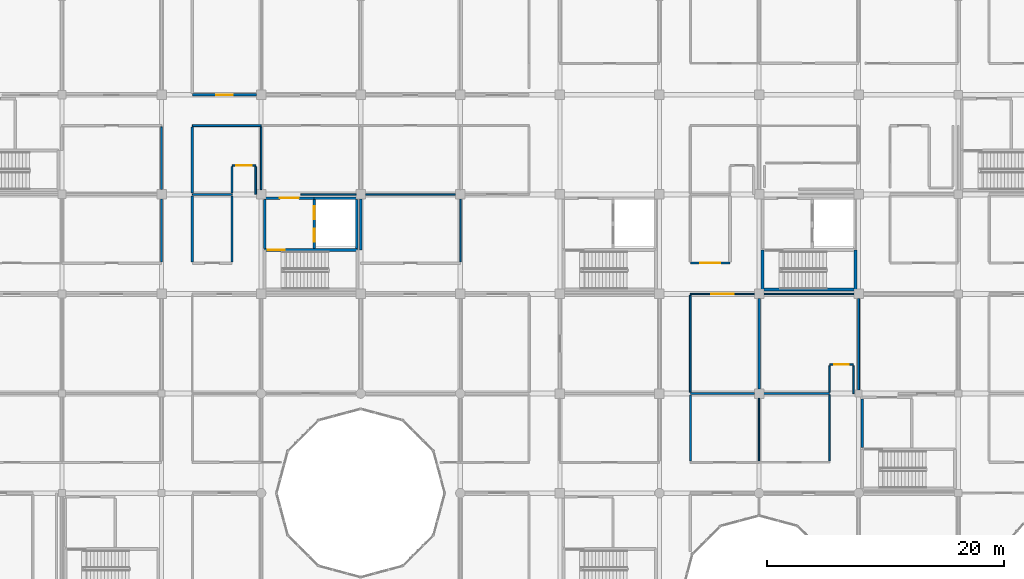
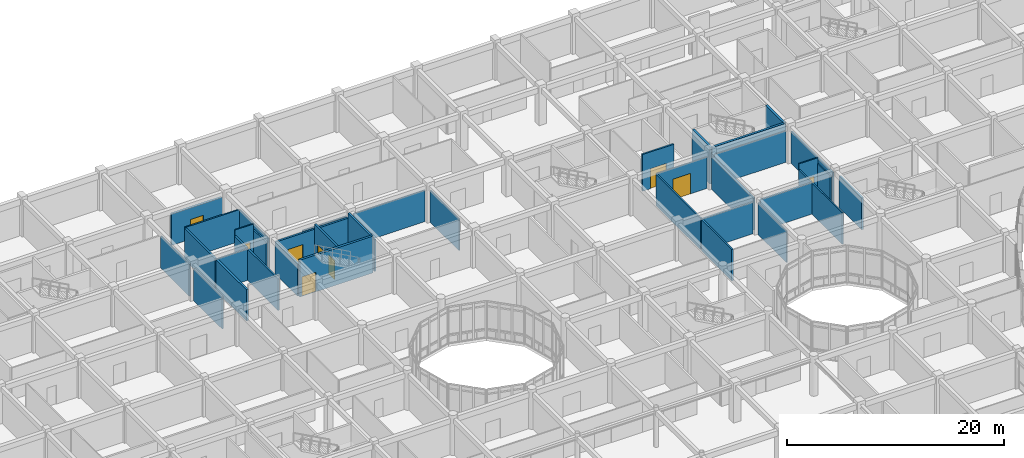
# One storey, part 113 of 144: 40 walls, 9 doors, 9 openings.
"""IFC4 building model written with IfcOpenShell, lengths in metres."""

from ifc_helpers import new_model, si_unit, direction, frame, frame_2d, origin, place, context, subcontext, project, spatial, rectangle, extrude, material, layer, layer_set, type_object, element, fill, save


model = new_model("IFC4")

# Units and contexts
model_context = context("Model", 3, precision=1e-05, world=origin(), true_north=direction((0.0, 1.0)))
body_context = subcontext(model_context, "Body", "Model", "MODEL_VIEW")
ifc_project = project(units=[si_unit("LENGTHUNIT", "METRE"), si_unit("AREAUNIT", "SQUARE_METRE"), si_unit("VOLUMEUNIT", "CUBIC_METRE"), si_unit("PLANEANGLEUNIT", "RADIAN"), si_unit("MASSUNIT", "GRAM", prefix="KILO")], contexts=[model_context])

# Site, building, storey
site_placement = place(None, origin())
site = spatial("IfcSite", under=ifc_project, at=site_placement, CompositionType="ELEMENT")
building_placement = place(site_placement, origin())
building = spatial("IfcBuilding", under=site, at=building_placement, Name="Bramfleet General Hospital", CompositionType="ELEMENT")
storey_placement = place(building_placement, frame((0.0, 0.0, 4.800048828125)))
storey = spatial("IfcBuildingStorey", under=building, at=storey_placement, Name="L01", CompositionType="ELEMENT", Elevation=4.800048828125)

# Wall, opening, door
ifc_material_1 = material(Name="Concrete C35/45", Category="concrete")
ifc_layer_1 = layer(ifc_material_1, 0.219970703125, Name="WT-IW-01")
ifc_layer_set_1 = layer_set([ifc_layer_1], Name="Concrete C35/45")
wall_type_1 = type_object("IfcWallType", Name="WT-IW-01", PredefinedType="PARTITIONING", material=ifc_layer_set_1)
wall_1_placement = place(storey_placement, frame((69.800048828125, 109.199951171875, 0.0), z_axis=(0.0, 0.0, 1.0), x_axis=(1.0, 0.0, 0.0)))
wall_1 = element("IfcWall", 1, at=wall_1_placement, inside=storey, type_object=wall_type_1, Name="L01 Interior Partition IW-L01-1561", PredefinedType="PARTITIONING", context=body_context, shape_type="SweptSolid", body=[
    extrude(rectangle(XDim=5.405029296875, YDim=0.219970703125, at=frame_2d((2.70263671875, 0.0))), origin(), (0.0, 0.0, 1.0), 3.5400390625),
])
opening_1_placement = place(wall_1_placement, frame((2.012451171875, 0.0, 0.0)))
opening_1 = element("IfcOpeningElement", 2, at=opening_1_placement, cuts=wall_1, Name="Opening D0734", PredefinedType="OPENING", context=body_context, shape_type="SweptSolid", body=[
    extrude(rectangle(XDim=1.3798828125, YDim=2.219970703125, at=frame_2d((0.68994140625, 1.10986328125))), frame((0.0, 0.119873046875, 0.0), z_axis=(0.0, -1.0, 0.0), x_axis=(1.0, 0.0, 0.0)), (0.0, 0.0, 1.0), 0.239990234375),
])
ifc_material_2 = material(Name="Stainless steel and acoustic timber leaf", Category="steel")
door_type_1 = type_object("IfcDoorType", Name="DR-D-30", OperationType="NOTDEFINED", PredefinedType="DOOR", material=ifc_material_2)
door_1_placement = place(opening_1_placement, origin())
door_1 = element("IfcDoor", 3, at=door_1_placement, inside=storey, type_object=door_type_1, Name="Pathology and Clinical Laboratory L01-0813A Door D0734", OperationType="SINGLE_SWING_LEFT", OverallHeight=2.219970703125, OverallWidth=1.3798828125, PredefinedType="DOOR", context=body_context, shape_type="SweptSolid", body=[
    extrude(rectangle(XDim=1.3798828125, YDim=2.219970703125, at=frame_2d((0.68994140625, 1.10986328125))), frame((0.0, 0.02490234375, 0.0), z_axis=(0.0, -1.0, 0.0), x_axis=(1.0, 0.0, 0.0)), (0.0, 0.0, 1.0), 0.050048828125),
])
fill(opening_1, door_1)

# Walls
wall_2_placement = place(storey_placement, frame((69.800048828125, 95.114990234375, 0.0), z_axis=(0.0, 0.0, 1.0), x_axis=(0.0, 1.0, 0.0)))
element("IfcWall", 4, at=wall_2_placement, inside=storey, type_object=wall_type_1, Name="L01 Interior Partition IW-L01-1777", PredefinedType="PARTITIONING", context=body_context, shape_type="SweptSolid", body=[
    extrude(rectangle(XDim=5.570068359375, YDim=0.219970703125, at=frame_2d((2.78515625, 0.0))), origin(), (0.0, 0.0, 1.0), 3.5400390625),
])
wall_3_placement = place(storey_placement, frame((117.60009765625, 84.39501953125, 0.0), z_axis=(0.0, 0.0, 1.0), x_axis=(0.0, 1.0, 0.0)))
element("IfcWall", 5, at=wall_3_placement, inside=storey, type_object=wall_type_1, Name="L01 Interior Partition IW-L01-1849", PredefinedType="PARTITIONING", context=body_context, shape_type="SweptSolid", body=[
    extrude(rectangle(XDim=7.60986328125, YDim=0.219970703125, at=frame_2d((3.804931640625, 0.0))), origin(), (0.0, 0.0, 1.0), 3.58984375),
])

# Wall, openings, doors
ifc_layer_2 = layer(ifc_material_1, 0.205078125, Name="WT-IW-02")
ifc_layer_set_2 = layer_set([ifc_layer_2], Name="Concrete C35/45")
wall_type_2 = type_object("IfcWallType", Name="WT-IW-02", PredefinedType="PARTITIONING", material=ifc_layer_set_2)
wall_4_placement = place(storey_placement, frame((80.080078125, 96.239990234375, 0.0), z_axis=(0.0, 0.0, 1.0), x_axis=(0.0, 1.0, 0.0)))
wall_4 = element("IfcWall", 6, at=wall_4_placement, inside=storey, type_object=wall_type_2, Name="L01 C5 Lobby East Shaft Wall", PredefinedType="PARTITIONING", context=body_context, shape_type="SweptSolid", body=[
    extrude(rectangle(XDim=4.1201171875, YDim=0.205078125, at=frame_2d((2.06005859375, 0.0))), origin(), (0.0, 0.0, 1.0), 4.139892578125),
])
opening_2_placement = place(wall_4_placement, frame((0.570068359375, 0.0, 0.0)))
opening_2 = element("IfcOpeningElement", 7, at=opening_2_placement, cuts=wall_4, Name="Opening LD-PL-02-L01", PredefinedType="OPENING", context=body_context, shape_type="SweptSolid", body=[
    extrude(rectangle(XDim=1.10009765625, YDim=2.14990234375, at=frame_2d((0.550048828125, 1.074951171875))), frame((0.0, 0.112548828125, 0.0), z_axis=(0.0, -1.0, 0.0), x_axis=(1.0, 0.0, 0.0)), (0.0, 0.0, 1.0), 0.22509765625),
])
opening_3_placement = place(wall_4_placement, frame((2.449951171875, 0.0, 0.0)))
opening_3 = element("IfcOpeningElement", 8, at=opening_3_placement, cuts=wall_4, Name="Opening LD-PL-03-L01", PredefinedType="OPENING", context=body_context, shape_type="SweptSolid", body=[
    extrude(rectangle(XDim=1.10009765625, YDim=2.14990234375, at=frame_2d((0.550048828125, 1.074951171875))), frame((0.0, 0.112548828125, 0.0), z_axis=(0.0, -1.0, 0.0), x_axis=(1.0, 0.0, 0.0)), (0.0, 0.0, 1.0), 0.22509765625),
])
ifc_material_3 = material(Name="Brushed stainless steel 1.4301", Category="steel")
door_type_2 = type_object("IfcDoorType", Name="DR-LD-02", OperationType="NOTDEFINED", PredefinedType="DOOR", material=ifc_material_3)
door_2_placement = place(opening_2_placement, origin())
door_2 = element("IfcDoor", 9, at=door_2_placement, inside=storey, type_object=door_type_2, Name="L01 Lift PL-02 Sliding Landing Door", OperationType="SLIDING_TO_LEFT", OverallHeight=2.14990234375, OverallWidth=1.10009765625, PredefinedType="DOOR", context=body_context, shape_type="SweptSolid", body=[
    extrude(rectangle(XDim=1.10009765625, YDim=2.14990234375, at=frame_2d((0.550048828125, 1.074951171875))), frame((0.0, 0.02490234375, 0.0), z_axis=(0.0, -1.0, 0.0), x_axis=(1.0, 0.0, 0.0)), (0.0, 0.0, 1.0), 0.050048828125),
])
fill(opening_2, door_2)
door_3_placement = place(opening_3_placement, origin())
door_3 = element("IfcDoor", 10, at=door_3_placement, inside=storey, type_object=door_type_2, Name="L01 Lift PL-03 Sliding Landing Door", OperationType="SLIDING_TO_LEFT", OverallHeight=2.14990234375, OverallWidth=1.10009765625, PredefinedType="DOOR", context=body_context, shape_type="SweptSolid", body=[
    extrude(rectangle(XDim=1.10009765625, YDim=2.14990234375, at=frame_2d((0.550048828125, 1.074951171875))), frame((0.0, 0.02490234375, 0.0), z_axis=(0.0, -1.0, 0.0), x_axis=(1.0, 0.0, 0.0)), (0.0, 0.0, 1.0), 0.050048828125),
])
fill(opening_3, door_3)

# Walls
wall_5_placement = place(storey_placement, frame((83.64990234375, 96.239990234375, 0.0), z_axis=(0.0, 0.0, 1.0), x_axis=(0.0, 1.0, 0.0)))
element("IfcWall", 11, at=wall_5_placement, inside=storey, type_object=wall_type_2, Name="L01 C5 Lift Shaft East Wall", PredefinedType="PARTITIONING", context=body_context, shape_type="SweptSolid", body=[
    extrude(rectangle(XDim=4.1201171875, YDim=0.205078125, at=frame_2d((2.06005859375, 0.0))), origin(), (0.0, 0.0, 1.0), 4.139892578125),
])
wall_6_placement = place(storey_placement, frame((80.080078125, 100.47998046875, 0.0), z_axis=(0.0, 0.0, 1.0), x_axis=(1.0, 0.0, 0.0)))
element("IfcWall", 12, at=wall_6_placement, inside=storey, type_object=wall_type_2, Name="L01 C5 Lift Shaft North Wall", PredefinedType="PARTITIONING", context=body_context, shape_type="SweptSolid", body=[
    extrude(rectangle(XDim=3.56982421875, YDim=0.205078125, at=frame_2d((1.784912109375, 0.0))), origin(), (0.0, 0.0, 1.0), 3.5400390625),
])
wall_7_placement = place(storey_placement, frame((75.89990234375, 96.239990234375, 0.0), z_axis=(0.0, 0.0, 1.0), x_axis=(0.0, 1.0, 0.0)))
element("IfcWall", 13, at=wall_7_placement, inside=storey, type_object=wall_type_2, Name="L01 C5 Lobby West Compartment Wall", PredefinedType="PARTITIONING", context=body_context, shape_type="SweptSolid", body=[
    extrude(rectangle(XDim=4.1201171875, YDim=0.205078125, at=frame_2d((2.06005859375, 0.0))), origin(), (0.0, 0.0, 1.0), 3.58984375),
])

# Wall, opening, door
wall_8_placement = place(storey_placement, frame((75.89990234375, 100.47998046875, 0.0), z_axis=(0.0, 0.0, 1.0), x_axis=(1.0, 0.0, 0.0)))
wall_8 = element("IfcWall", 14, at=wall_8_placement, inside=storey, type_object=wall_type_2, Name="L01 C5 Lobby North Compartment Wall", PredefinedType="PARTITIONING", context=body_context, shape_type="SweptSolid", body=[
    extrude(rectangle(XDim=4.18017578125, YDim=0.205078125, at=frame_2d((2.090087890625, 0.0))), origin(), (0.0, 0.0, 1.0), 3.5400390625),
])
opening_4_placement = place(wall_8_placement, frame((1.2900390625, 0.0, 0.0)))
opening_4 = element("IfcOpeningElement", 15, at=opening_4_placement, cuts=wall_8, Name="Opening D0060", PredefinedType="OPENING", context=body_context, shape_type="SweptSolid", body=[
    extrude(rectangle(XDim=1.60009765625, YDim=2.25, at=frame_2d((0.800048828125, 1.125))), frame((0.0, 0.112548828125, 0.0), z_axis=(0.0, -1.0, 0.0), x_axis=(1.0, 0.0, 0.0)), (0.0, 0.0, 1.0), 0.22509765625),
])
door_type_3 = type_object("IfcDoorType", Name="DR-D-04", OperationType="NOTDEFINED", PredefinedType="DOOR", material=ifc_material_2)
door_4_placement = place(opening_4_placement, origin())
door_4 = element("IfcDoor", 16, at=door_4_placement, inside=storey, type_object=door_type_3, Name="L01 C5 Lobby Fire Door D0060", OperationType="DOUBLE_SWING_LEFT", OverallHeight=2.25, OverallWidth=1.60009765625, PredefinedType="DOOR", context=body_context, shape_type="SweptSolid", body=[
    extrude(rectangle(XDim=1.60009765625, YDim=2.25, at=frame_2d((0.800048828125, 1.125))), frame((0.0, 0.02490234375, 0.0), z_axis=(0.0, -1.0, 0.0), x_axis=(1.0, 0.0, 0.0)), (0.0, 0.0, 1.0), 0.050048828125),
])
fill(opening_4, door_4)

# Walls
wall_9_placement = place(storey_placement, frame((126.300048828125, 79.43994140625, 0.0), z_axis=(0.0, 0.0, 1.0), x_axis=(0.0, 1.0, 0.0)))
element("IfcWall", 17, at=wall_9_placement, inside=storey, type_object=wall_type_2, Name="L01 C12 Lobby West Compartment Wall", PredefinedType="PARTITIONING", context=body_context, shape_type="SweptSolid", body=[
    extrude(rectangle(XDim=4.1201171875, YDim=0.205078125, at=frame_2d((2.06005859375, 0.0))), origin(), (0.0, 0.0, 1.0), 3.58984375),
])
wall_10_placement = place(storey_placement, frame((69.800048828125, 100.9150390625, 0.0), z_axis=(0.0, 0.0, 1.0), x_axis=(0.0, 1.0, 0.0)))
element("IfcWall", 18, at=wall_10_placement, inside=storey, type_object=wall_type_2, Name="L01 Interior Partition IW-L01-1778", PredefinedType="PARTITIONING", context=body_context, shape_type="SweptSolid", body=[
    extrude(rectangle(XDim=5.570068359375, YDim=0.205078125, at=frame_2d((2.78515625, 0.0))), origin(), (0.0, 0.0, 1.0), 3.5400390625),
])
ifc_layer_3 = layer(ifc_material_1, 0.18994140625, Name="WT-IW-03")
ifc_layer_set_3 = layer_set([ifc_layer_3], Name="Concrete C35/45")
wall_type_3 = type_object("IfcWallType", Name="WT-IW-03", PredefinedType="PARTITIONING", material=ifc_layer_set_3)
wall_11_placement = place(storey_placement, frame((84.0, 96.10009765625, 0.0), z_axis=(0.0, 0.0, 1.0), x_axis=(0.0, 1.0, 0.0)))
element("IfcWall", 19, at=wall_11_placement, inside=storey, type_object=wall_type_3, Name="L01 Interior Partition IW-L01-1791", PredefinedType="PARTITIONING", context=body_context, shape_type="SweptSolid", body=[
    extrude(rectangle(XDim=4.304931640625, YDim=0.18994140625, at=frame_2d((2.15234375, 0.0))), origin(), (0.0, 0.0, 1.0), 3.58984375),
])
ifc_layer_4 = layer(ifc_material_1, 0.179931640625, Name="WT-IW-04")
ifc_layer_set_4 = layer_set([ifc_layer_4], Name="Concrete C35/45")
wall_type_4 = type_object("IfcWallType", Name="WT-IW-04", PredefinedType="PARTITIONING", material=ifc_layer_set_4)
wall_12_placement = place(storey_placement, frame((111.800048828125, 84.0, 0.0), z_axis=(0.0, 0.0, 1.0), x_axis=(1.0, 0.0, 0.0)))
element("IfcWall", 20, at=wall_12_placement, inside=storey, type_object=wall_type_4, Name="L01 Interior Partition IW-L01-1468", PredefinedType="PARTITIONING", context=body_context, shape_type="SweptSolid", body=[
    extrude(rectangle(XDim=5.405029296875, YDim=0.179931640625, at=frame_2d((2.70263671875, 0.0))), origin(), (0.0, 0.0, 1.0), 3.5400390625),
])

# Wall, opening, door
wall_13_placement = place(storey_placement, frame((111.800048828125, 95.0, 0.0), z_axis=(0.0, 0.0, 1.0), x_axis=(1.0, 0.0, 0.0)))
wall_13 = element("IfcWall", 21, at=wall_13_placement, inside=storey, type_object=wall_type_4, Name="L01 Interior Partition IW-L01-1504", PredefinedType="PARTITIONING", context=body_context, shape_type="SweptSolid", body=[
    extrude(rectangle(XDim=3.349853515625, YDim=0.179931640625, at=frame_2d((1.6748046875, 0.0))), origin(), (0.0, 0.0, 1.0), 4.139892578125),
])
opening_5_placement = place(wall_13_placement, frame((0.824951171875, 0.0, 0.0)))
opening_5 = element("IfcOpeningElement", 22, at=opening_5_placement, cuts=wall_13, Name="Opening D0775", PredefinedType="OPENING", context=body_context, shape_type="SweptSolid", body=[
    extrude(rectangle(XDim=1.699951171875, YDim=2.25, at=frame_2d((0.85009765625, 1.125))), frame((0.0, 0.099853515625, 0.0), z_axis=(0.0, -1.0, 0.0), x_axis=(1.0, 0.0, 0.0)), (0.0, 0.0, 1.0), 0.199951171875),
])
door_type_4 = type_object("IfcDoorType", Name="DR-D-07", OperationType="NOTDEFINED", PredefinedType="DOOR", material=ifc_material_2)
door_5_placement = place(opening_5_placement, origin())
door_5 = element("IfcDoor", 23, at=door_5_placement, inside=storey, type_object=door_type_4, Name="Pathology and Clinical Laboratory L01-1311A Door D0775", OperationType="DOUBLE_SWING_RIGHT", OverallHeight=2.25, OverallWidth=1.699951171875, PredefinedType="DOOR", context=body_context, shape_type="SweptSolid", body=[
    extrude(rectangle(XDim=1.699951171875, YDim=2.25, at=frame_2d((0.85009765625, 1.125))), frame((0.0, 0.02490234375, 0.0), z_axis=(0.0, -1.0, 0.0), x_axis=(1.0, 0.0, 0.0)), (0.0, 0.0, 1.0), 0.050048828125),
])
fill(opening_5, door_5)

# Walls
wall_14_placement = place(storey_placement, frame((73.14990234375, 95.114990234375, 0.0), z_axis=(0.0, 0.0, 1.0), x_axis=(0.0, 1.0, 0.0)))
element("IfcWall", 24, at=wall_14_placement, inside=storey, type_object=wall_type_4, Name="L01 Interior Partition IW-L01-1780", PredefinedType="PARTITIONING", context=body_context, shape_type="SweptSolid", body=[
    extrude(rectangle(XDim=5.570068359375, YDim=0.179931640625, at=frame_2d((2.78515625, 0.0))), origin(), (0.0, 0.0, 1.0), 3.5400390625),
])
ifc_material_4 = material(Name="Gypsum plasterboard on acoustic steel studs", Category="steel")
ifc_layer_5 = layer(ifc_material_4, 0.169921875, Name="WT-IW-05")
ifc_layer_set_5 = layer_set([ifc_layer_5], Name="Gypsum plasterboard on acoustic steel studs")
wall_type_5 = type_object("IfcWallType", Name="WT-IW-05", PredefinedType="PARTITIONING", material=ifc_layer_set_5)
wall_15_placement = place(storey_placement, frame((117.9951171875, 84.0, 0.0), z_axis=(0.0, 0.0, 1.0), x_axis=(1.0, 0.0, 0.0)))
element("IfcWall", 25, at=wall_15_placement, inside=storey, type_object=wall_type_5, Name="L01 Interior Partition IW-L01-1469", PredefinedType="PARTITIONING", context=body_context, shape_type="SweptSolid", body=[
    extrude(rectangle(XDim=5.554931640625, YDim=0.169921875, at=frame_2d((2.77734375, 0.0))), origin(), (0.0, 0.0, 1.0), 3.5400390625),
])
wall_16_placement = place(storey_placement, frame((73.14990234375, 100.9150390625, 0.0), z_axis=(0.0, 0.0, 1.0), x_axis=(0.0, 1.0, 0.0)))
element("IfcWall", 26, at=wall_16_placement, inside=storey, type_object=wall_type_5, Name="L01 Interior Partition IW-L01-1781", PredefinedType="PARTITIONING", context=body_context, shape_type="SweptSolid", body=[
    extrude(rectangle(XDim=2.219970703125, YDim=0.169921875, at=frame_2d((1.10986328125, 0.0))), origin(), (0.0, 0.0, 1.0), 3.5400390625),
])
wall_17_placement = place(storey_placement, frame((111.800048828125, 78.31494140625, 0.0), z_axis=(0.0, 0.0, 1.0), x_axis=(0.0, 1.0, 0.0)))
element("IfcWall", 27, at=wall_17_placement, inside=storey, type_object=wall_type_5, Name="L01 Interior Partition IW-L01-1829", PredefinedType="PARTITIONING", context=body_context, shape_type="SweptSolid", body=[
    extrude(rectangle(XDim=5.570068359375, YDim=0.169921875, at=frame_2d((2.78515625, 0.0))), origin(), (0.0, 0.0, 1.0), 3.5400390625),
])
ifc_layer_6 = layer(ifc_material_4, 0.159912109375, Name="WT-IW-06")
ifc_layer_set_6 = layer_set([ifc_layer_6], Name="Gypsum plasterboard on acoustic steel studs")
wall_type_6 = type_object("IfcWallType", Name="WT-IW-06", PredefinedType="PARTITIONING", material=ifc_layer_set_6)
wall_18_placement = place(storey_placement, frame((67.199951171875, 95.114990234375, 0.0), z_axis=(0.0, 0.0, 1.0), x_axis=(0.0, 1.0, 0.0)))
element("IfcWall", 28, at=wall_18_placement, inside=storey, type_object=wall_type_6, Name="L01 Interior Partition IW-L01-1770", PredefinedType="PARTITIONING", context=body_context, shape_type="SweptSolid", body=[
    extrude(rectangle(XDim=5.2900390625, YDim=0.159912109375, at=frame_2d((2.64501953125, 0.0))), origin(), (0.0, 0.0, 1.0), 3.58984375),
])
wall_19_placement = place(storey_placement, frame((75.14990234375, 100.800048828125, 0.0), z_axis=(0.0, 0.0, 1.0), x_axis=(0.0, 1.0, 0.0)))
element("IfcWall", 29, at=wall_19_placement, inside=storey, type_object=wall_type_6, Name="L01 Interior Partition IW-L01-1782", PredefinedType="PARTITIONING", context=body_context, shape_type="SweptSolid", body=[
    extrude(rectangle(XDim=2.3349609375, YDim=0.159912109375, at=frame_2d((1.16748046875, 0.0))), origin(), (0.0, 0.0, 1.0), 3.5400390625),
])
wall_20_placement = place(storey_placement, frame((111.800048828125, 84.114990234375, 0.0), z_axis=(0.0, 0.0, 1.0), x_axis=(0.0, 1.0, 0.0)))
element("IfcWall", 30, at=wall_20_placement, inside=storey, type_object=wall_type_6, Name="L01 Interior Partition IW-L01-1830", PredefinedType="PARTITIONING", context=body_context, shape_type="SweptSolid", body=[
    extrude(rectangle(XDim=8.169921875, YDim=0.159912109375, at=frame_2d((4.0849609375, 0.0))), origin(), (0.0, 0.0, 1.0), 3.5400390625),
])
wall_21_placement = place(storey_placement, frame((126.0, 84.294921875, 0.0), z_axis=(0.0, 0.0, 1.0), x_axis=(0.0, 1.0, 0.0)))
element("IfcWall", 31, at=wall_21_placement, inside=storey, type_object=wall_type_6, Name="L01 Interior Partition IW-L01-1866", PredefinedType="PARTITIONING", context=body_context, shape_type="SweptSolid", body=[
    extrude(rectangle(XDim=7.7099609375, YDim=0.159912109375, at=frame_2d((3.85498046875, 0.0))), origin(), (0.0, 0.0, 1.0), 3.58984375),
])
ifc_layer_7 = layer(ifc_material_4, 0.14990234375, Name="WT-IW-07")
ifc_layer_set_7 = layer_set([ifc_layer_7], Name="Gypsum plasterboard on acoustic steel studs")
wall_type_7 = type_object("IfcWallType", Name="WT-IW-07", PredefinedType="PARTITIONING", material=ifc_layer_set_7)
wall_22_placement = place(storey_placement, frame((69.800048828125, 100.800048828125, 0.0), z_axis=(0.0, 0.0, 1.0), x_axis=(1.0, 0.0, 0.0)))
element("IfcWall", 32, at=wall_22_placement, inside=storey, type_object=wall_type_7, Name="L01 Interior Partition IW-L01-1519", PredefinedType="PARTITIONING", context=body_context, shape_type="SweptSolid", body=[
    extrude(rectangle(XDim=3.349853515625, YDim=0.14990234375, at=frame_2d((1.6748046875, 0.0))), origin(), (0.0, 0.0, 1.0), 3.5400390625),
])
wall_23_placement = place(storey_placement, frame((69.800048828125, 106.60009765625, 0.0), z_axis=(0.0, 0.0, 1.0), x_axis=(1.0, 0.0, 0.0)))
element("IfcWall", 33, at=wall_23_placement, inside=storey, type_object=wall_type_7, Name="L01 Interior Partition IW-L01-1543", PredefinedType="PARTITIONING", context=body_context, shape_type="SweptSolid", body=[
    extrude(rectangle(XDim=5.800048828125, YDim=0.14990234375, at=frame_2d((2.89990234375, 0.0))), origin(), (0.0, 0.0, 1.0), 3.58984375),
])
wall_24_placement = place(storey_placement, frame((67.199951171875, 101.195068359375, 0.0), z_axis=(0.0, 0.0, 1.0), x_axis=(0.0, 1.0, 0.0)))
element("IfcWall", 34, at=wall_24_placement, inside=storey, type_object=wall_type_7, Name="L01 Interior Partition IW-L01-1771", PredefinedType="PARTITIONING", context=body_context, shape_type="SweptSolid", body=[
    extrude(rectangle(XDim=5.2900390625, YDim=0.14990234375, at=frame_2d((2.64501953125, 0.0))), origin(), (0.0, 0.0, 1.0), 3.58984375),
])
ifc_layer_8 = layer(ifc_material_4, 0.139892578125, Name="WT-IW-08")
ifc_layer_set_8 = layer_set([ifc_layer_8], Name="Gypsum plasterboard on acoustic steel studs")
wall_type_8 = type_object("IfcWallType", Name="WT-IW-08", PredefinedType="PARTITIONING", material=ifc_layer_set_8)
wall_25_placement = place(storey_placement, frame((78.949951171875, 100.800048828125, 0.0), z_axis=(0.0, 0.0, 1.0), x_axis=(1.0, 0.0, 0.0)))
element("IfcWall", 35, at=wall_25_placement, inside=storey, type_object=wall_type_8, Name="L01 Interior Partition IW-L01-1520", PredefinedType="PARTITIONING", context=body_context, shape_type="SweptSolid", body=[
    extrude(rectangle(XDim=4.655029296875, YDim=0.139892578125, at=frame_2d((2.32763671875, 0.0))), origin(), (0.0, 0.0, 1.0), 3.5400390625),
])
wall_26_placement = place(storey_placement, frame((123.550048828125, 78.31494140625, 0.0), z_axis=(0.0, 0.0, 1.0), x_axis=(0.0, 1.0, 0.0)))
element("IfcWall", 36, at=wall_26_placement, inside=storey, type_object=wall_type_8, Name="L01 Interior Partition IW-L01-1856", PredefinedType="PARTITIONING", context=body_context, shape_type="SweptSolid", body=[
    extrude(rectangle(XDim=5.570068359375, YDim=0.139892578125, at=frame_2d((2.78515625, 0.0))), origin(), (0.0, 0.0, 1.0), 3.5400390625),
])

# Wall, opening, door
ifc_layer_9 = layer(ifc_material_4, 0.1298828125, Name="WT-IW-09")
ifc_layer_set_9 = layer_set([ifc_layer_9], Name="Gypsum plasterboard on acoustic steel studs")
wall_type_9 = type_object("IfcWallType", Name="WT-IW-09", PredefinedType="PARTITIONING", material=ifc_layer_set_9)
wall_27_placement = place(storey_placement, frame((123.550048828125, 86.449951171875, 0.0), z_axis=(0.0, 0.0, 1.0), x_axis=(1.0, 0.0, 0.0)))
wall_27 = element("IfcWall", 37, at=wall_27_placement, inside=storey, type_object=wall_type_9, Name="L01 Interior Partition IW-L01-1473", PredefinedType="PARTITIONING", context=body_context, shape_type="SweptSolid", body=[
    extrude(rectangle(XDim=2.0, YDim=0.1298828125, at=frame_2d((1.0, 0.0))), origin(), (0.0, 0.0, 1.0), 4.139892578125),
])
opening_6_placement = place(wall_27_placement, frame((0.389892578125, 0.0, 0.0)))
opening_6 = element("IfcOpeningElement", 38, at=opening_6_placement, cuts=wall_27, Name="Opening D0791", PredefinedType="OPENING", context=body_context, shape_type="SweptSolid", body=[
    extrude(rectangle(XDim=1.219970703125, YDim=2.179931640625, at=frame_2d((0.60986328125, 1.08984375))), frame((0.0, 0.074951171875, 0.0), z_axis=(0.0, -1.0, 0.0), x_axis=(1.0, 0.0, 0.0)), (0.0, 0.0, 1.0), 0.14990234375),
])
door_type_5 = type_object("IfcDoorType", Name="DR-D-23", OperationType="NOTDEFINED", PredefinedType="DOOR", material=ifc_material_2)
door_6_placement = place(opening_6_placement, origin())
door_6 = element("IfcDoor", 39, at=door_6_placement, inside=storey, type_object=door_type_5, Name="Pathology and Clinical Laboratory L01-1410A Door D0791", OperationType="SINGLE_SWING_RIGHT", OverallHeight=2.179931640625, OverallWidth=1.219970703125, PredefinedType="DOOR", context=body_context, shape_type="SweptSolid", body=[
    extrude(rectangle(XDim=1.219970703125, YDim=2.179931640625, at=frame_2d((0.60986328125, 1.08984375))), frame((0.0, 0.02490234375, 0.0), z_axis=(0.0, -1.0, 0.0), x_axis=(1.0, 0.0, 0.0)), (0.0, 0.0, 1.0), 0.050048828125),
])
fill(opening_6, door_6)

# Walls
wall_28_placement = place(storey_placement, frame((84.39501953125, 100.800048828125, 0.0), z_axis=(0.0, 0.0, 1.0), x_axis=(1.0, 0.0, 0.0)))
element("IfcWall", 40, at=wall_28_placement, inside=storey, type_object=wall_type_9, Name="L01 Interior Partition IW-L01-1521", PredefinedType="PARTITIONING", context=body_context, shape_type="SweptSolid", body=[
    extrude(rectangle(XDim=7.60986328125, YDim=0.1298828125, at=frame_2d((3.804931640625, 0.0))), origin(), (0.0, 0.0, 1.0), 3.5400390625),
])
wall_29_placement = place(storey_placement, frame((123.550048828125, 84.114990234375, 0.0), z_axis=(0.0, 0.0, 1.0), x_axis=(0.0, 1.0, 0.0)))
element("IfcWall", 41, at=wall_29_placement, inside=storey, type_object=wall_type_9, Name="L01 Interior Partition IW-L01-1857", PredefinedType="PARTITIONING", context=body_context, shape_type="SweptSolid", body=[
    extrude(rectangle(XDim=2.219970703125, YDim=0.1298828125, at=frame_2d((1.10986328125, 0.0))), origin(), (0.0, 0.0, 1.0), 3.5400390625),
])

# Wall, opening, door
ifc_layer_10 = layer(ifc_material_4, 0.1201171875, Name="WT-IW-10")
ifc_layer_set_10 = layer_set([ifc_layer_10], Name="Gypsum plasterboard on acoustic steel studs")
wall_type_10 = type_object("IfcWallType", Name="WT-IW-10", PredefinedType="PARTITIONING", material=ifc_layer_set_10)
wall_30_placement = place(storey_placement, frame((73.14990234375, 103.25, 0.0), z_axis=(0.0, 0.0, 1.0), x_axis=(1.0, 0.0, 0.0)))
wall_30 = element("IfcWall", 42, at=wall_30_placement, inside=storey, type_object=wall_type_10, Name="L01 Interior Partition IW-L01-1534", PredefinedType="PARTITIONING", context=body_context, shape_type="SweptSolid", body=[
    extrude(rectangle(XDim=2.0, YDim=0.1201171875, at=frame_2d((1.0, 0.0))), origin(), (0.0, 0.0, 1.0), 4.139892578125),
])
opening_7_placement = place(wall_30_placement, frame((0.360107421875, 0.0, 0.0)))
opening_7 = element("IfcOpeningElement", 43, at=opening_7_placement, cuts=wall_30, Name="Opening D0733", PredefinedType="OPENING", context=body_context, shape_type="SweptSolid", body=[
    extrude(rectangle(XDim=1.280029296875, YDim=2.179931640625, at=frame_2d((0.64013671875, 1.08984375))), frame((0.0, 0.070068359375, 0.0), z_axis=(0.0, -1.0, 0.0), x_axis=(1.0, 0.0, 0.0)), (0.0, 0.0, 1.0), 0.14013671875),
])
door_type_6 = type_object("IfcDoorType", Name="DR-D-29", OperationType="NOTDEFINED", PredefinedType="DOOR", material=ifc_material_2)
door_7_placement = place(opening_7_placement, origin())
door_7 = element("IfcDoor", 44, at=door_7_placement, inside=storey, type_object=door_type_6, Name="Pathology and Clinical Laboratory L01-0812A Door D0733", OperationType="SINGLE_SWING_RIGHT", OverallHeight=2.179931640625, OverallWidth=1.280029296875, PredefinedType="DOOR", context=body_context, shape_type="SweptSolid", body=[
    extrude(rectangle(XDim=1.280029296875, YDim=2.179931640625, at=frame_2d((0.64013671875, 1.08984375))), frame((0.0, 0.02490234375, 0.0), z_axis=(0.0, -1.0, 0.0), x_axis=(1.0, 0.0, 0.0)), (0.0, 0.0, 1.0), 0.050048828125),
])
fill(opening_7, door_7)

# Walls
wall_31_placement = place(storey_placement, frame((92.39990234375, 95.114990234375, 0.0), z_axis=(0.0, 0.0, 1.0), x_axis=(0.0, 1.0, 0.0)))
element("IfcWall", 45, at=wall_31_placement, inside=storey, type_object=wall_type_10, Name="L01 Interior Partition IW-L01-1798", PredefinedType="PARTITIONING", context=body_context, shape_type="SweptSolid", body=[
    extrude(rectangle(XDim=5.2900390625, YDim=0.1201171875, at=frame_2d((2.64501953125, 0.0))), origin(), (0.0, 0.0, 1.0), 3.58984375),
])
wall_32_placement = place(storey_placement, frame((125.550048828125, 84.0, 0.0), z_axis=(0.0, 0.0, 1.0), x_axis=(0.0, 1.0, 0.0)))
element("IfcWall", 46, at=wall_32_placement, inside=storey, type_object=wall_type_10, Name="L01 Interior Partition IW-L01-1858", PredefinedType="PARTITIONING", context=body_context, shape_type="SweptSolid", body=[
    extrude(rectangle(XDim=2.3349609375, YDim=0.1201171875, at=frame_2d((1.16748046875, 0.0))), origin(), (0.0, 0.0, 1.0), 3.5400390625),
])

# Wall, opening, door
ifc_layer_11 = layer(ifc_material_4, 0.112060546875, Name="WT-IW-11")
ifc_layer_set_11 = layer_set([ifc_layer_11], Name="Gypsum plasterboard on acoustic steel studs")
wall_type_11 = type_object("IfcWallType", Name="WT-IW-11", PredefinedType="PARTITIONING", material=ifc_layer_set_11)
wall_33_placement = place(storey_placement, frame((111.800048828125, 92.39990234375, 0.0), z_axis=(0.0, 0.0, 1.0), x_axis=(1.0, 0.0, 0.0)))
wall_33 = element("IfcWall", 47, at=wall_33_placement, inside=storey, type_object=wall_type_11, Name="L01 Interior Partition IW-L01-1487", PredefinedType="PARTITIONING", context=body_context, shape_type="SweptSolid", body=[
    extrude(rectangle(XDim=5.405029296875, YDim=0.112060546875, at=frame_2d((2.70263671875, 0.0))), origin(), (0.0, 0.0, 1.0), 3.5400390625),
])
opening_8_placement = place(wall_33_placement, frame((1.75244140625, 0.0, 0.0)))
opening_8 = element("IfcOpeningElement", 48, at=opening_8_placement, cuts=wall_33, Name="Opening D0774", PredefinedType="OPENING", context=body_context, shape_type="SweptSolid", body=[
    extrude(rectangle(XDim=1.89990234375, YDim=2.300048828125, at=frame_2d((0.949951171875, 1.14990234375))), frame((0.0, 0.06591796875, 0.0), z_axis=(0.0, -1.0, 0.0), x_axis=(1.0, 0.0, 0.0)), (0.0, 0.0, 1.0), 0.132080078125),
])
door_type_7 = type_object("IfcDoorType", Name="DR-D-06", OperationType="NOTDEFINED", PredefinedType="DOOR", material=ifc_material_2)
door_8_placement = place(opening_8_placement, origin())
door_8 = element("IfcDoor", 49, at=door_8_placement, inside=storey, type_object=door_type_7, Name="Pathology and Clinical Laboratory L01-1310A Door D0774", OperationType="DOUBLE_SWING_LEFT", OverallHeight=2.300048828125, OverallWidth=1.89990234375, PredefinedType="DOOR", context=body_context, shape_type="SweptSolid", body=[
    extrude(rectangle(XDim=1.89990234375, YDim=2.300048828125, at=frame_2d((0.949951171875, 1.14990234375))), frame((0.0, 0.02490234375, 0.0), z_axis=(0.0, -1.0, 0.0), x_axis=(1.0, 0.0, 0.0)), (0.0, 0.0, 1.0), 0.050048828125),
])
fill(opening_8, door_8)

# Walls
wall_34_placement = place(storey_placement, frame((75.60009765625, 101.195068359375, 0.0), z_axis=(0.0, 0.0, 1.0), x_axis=(0.0, 1.0, 0.0)))
element("IfcWall", 50, at=wall_34_placement, inside=storey, type_object=wall_type_11, Name="L01 Interior Partition IW-L01-1787", PredefinedType="PARTITIONING", context=body_context, shape_type="SweptSolid", body=[
    extrude(rectangle(XDim=5.2900390625, YDim=0.112060546875, at=frame_2d((2.64501953125, 0.0))), origin(), (0.0, 0.0, 1.0), 3.58984375),
])
ifc_layer_12 = layer(ifc_material_4, 0.10009765625, Name="WT-IW-12")
ifc_layer_set_12 = layer_set([ifc_layer_12], Name="Gypsum plasterboard on acoustic steel studs")
wall_type_12 = type_object("IfcWallType", Name="WT-IW-12", PredefinedType="PARTITIONING", material=ifc_layer_set_12)
wall_35_placement = place(storey_placement, frame((117.9951171875, 92.39990234375, 0.0), z_axis=(0.0, 0.0, 1.0), x_axis=(1.0, 0.0, 0.0)))
element("IfcWall", 51, at=wall_35_placement, inside=storey, type_object=wall_type_12, Name="L01 Interior Partition IW-L01-1488", PredefinedType="PARTITIONING", context=body_context, shape_type="SweptSolid", body=[
    extrude(rectangle(XDim=7.60986328125, YDim=0.10009765625, at=frame_2d((3.804931640625, 0.0))), origin(), (0.0, 0.0, 1.0), 3.5400390625),
])
wall_36_placement = place(storey_placement, frame((117.60009765625, 78.31494140625, 0.0), z_axis=(0.0, 0.0, 1.0), x_axis=(0.0, 1.0, 0.0)))
element("IfcWall", 52, at=wall_36_placement, inside=storey, type_object=wall_type_12, Name="L01 Interior Partition IW-L01-1848", PredefinedType="PARTITIONING", context=body_context, shape_type="SweptSolid", body=[
    extrude(rectangle(XDim=5.2900390625, YDim=0.10009765625, at=frame_2d((2.64501953125, 0.0))), origin(), (0.0, 0.0, 1.0), 3.58984375),
])

# Wall, opening, door
ifc_material_5 = material(Name="Concrete C40/50", Category="concrete")
ifc_layer_13 = layer(ifc_material_5, 0.239990234375, Name="WT-SW-240")
ifc_layer_set_13 = layer_set([ifc_layer_13], Name="Concrete C40/50")
wall_type_13 = type_object("IfcWallType", Name="WT-SW-240", PredefinedType="SHEAR", material=ifc_layer_set_13)
wall_37_placement = place(storey_placement, frame((75.89990234375, 96.10009765625, 0.0), z_axis=(0.0, 0.0, 1.0), x_axis=(1.0, 0.0, 0.0)))
wall_37 = element("IfcWall", 53, at=wall_37_placement, inside=storey, type_object=wall_type_13, Name="L01 C5 Stair-Lobby Shear Wall", PredefinedType="SHEAR", context=body_context, shape_type="SweptSolid", body=[
    extrude(rectangle(XDim=7.820068359375, YDim=0.239990234375, at=frame_2d((3.91015625, 0.0))), origin(), (0.0, 0.0, 1.0), 4.14990234375),
])
opening_9_placement = place(wall_37_placement, frame((0.25, 0.0, 0.0)))
opening_9 = element("IfcOpeningElement", 54, at=opening_9_placement, cuts=wall_37, Name="Opening D0059", PredefinedType="OPENING", context=body_context, shape_type="SweptSolid", body=[
    extrude(rectangle(XDim=1.449951171875, YDim=2.199951171875, at=frame_2d((0.72509765625, 1.10009765625))), frame((0.0, 0.1298828125, 0.0), z_axis=(0.0, -1.0, 0.0), x_axis=(1.0, 0.0, 0.0)), (0.0, 0.0, 1.0), 0.260009765625),
])
door_type_8 = type_object("IfcDoorType", Name="DR-D-03", OperationType="NOTDEFINED", PredefinedType="DOOR", material=ifc_material_2)
door_9_placement = place(opening_9_placement, origin())
door_9 = element("IfcDoor", 55, at=door_9_placement, inside=storey, type_object=door_type_8, Name="L01 C5 Escape Stair Fire Door D0059", OperationType="SINGLE_SWING_RIGHT", OverallHeight=2.199951171875, OverallWidth=1.449951171875, PredefinedType="DOOR", context=body_context, shape_type="SweptSolid", body=[
    extrude(rectangle(XDim=1.449951171875, YDim=2.199951171875, at=frame_2d((0.72509765625, 1.10009765625))), frame((0.0, 0.02490234375, 0.0), z_axis=(0.0, -1.0, 0.0), x_axis=(1.0, 0.0, 0.0)), (0.0, 0.0, 1.0), 0.050048828125),
])
fill(opening_9, door_9)

# Walls
wall_38_placement = place(storey_placement, frame((117.89990234375, 92.780029296875, 0.0), z_axis=(0.0, 0.0, 1.0), x_axis=(1.0, 0.0, 0.0)))
element("IfcWall", 56, at=wall_38_placement, inside=storey, type_object=wall_type_13, Name="L01 C6 South Stair Shear Wall", PredefinedType="SHEAR", context=body_context, shape_type="SweptSolid", body=[
    extrude(rectangle(XDim=7.820068359375, YDim=0.239990234375, at=frame_2d((3.91015625, 0.0))), origin(), (0.0, 0.0, 1.0), 4.14990234375),
])
for number, where, z_axis, x_axis, name in (
    (57, (117.89990234375, 92.780029296875, 0.0), (0.0, 0.0, 1.0), (0.0, 1.0, 0.0), "L01 C6 West Stair Shear Wall"),
    (58, (125.719970703125, 92.780029296875, 0.0), (0.0, 0.0, 1.0), (0.0, 1.0, 0.0), "L01 C6 East Stair Shear Wall"),
):
    element("IfcWall", number, at=place(storey_placement, frame(where, z_axis=z_axis, x_axis=x_axis)), inside=storey, type_object=wall_type_13, Name=name, PredefinedType="SHEAR", context=body_context, shape_type="SweptSolid", body=[
        extrude(rectangle(XDim=3.320068359375, YDim=0.239990234375, at=frame_2d((1.66015625, 0.0))), origin(), (0.0, 0.0, 1.0), 4.14990234375),
    ])

save(model, "model.ifc")
